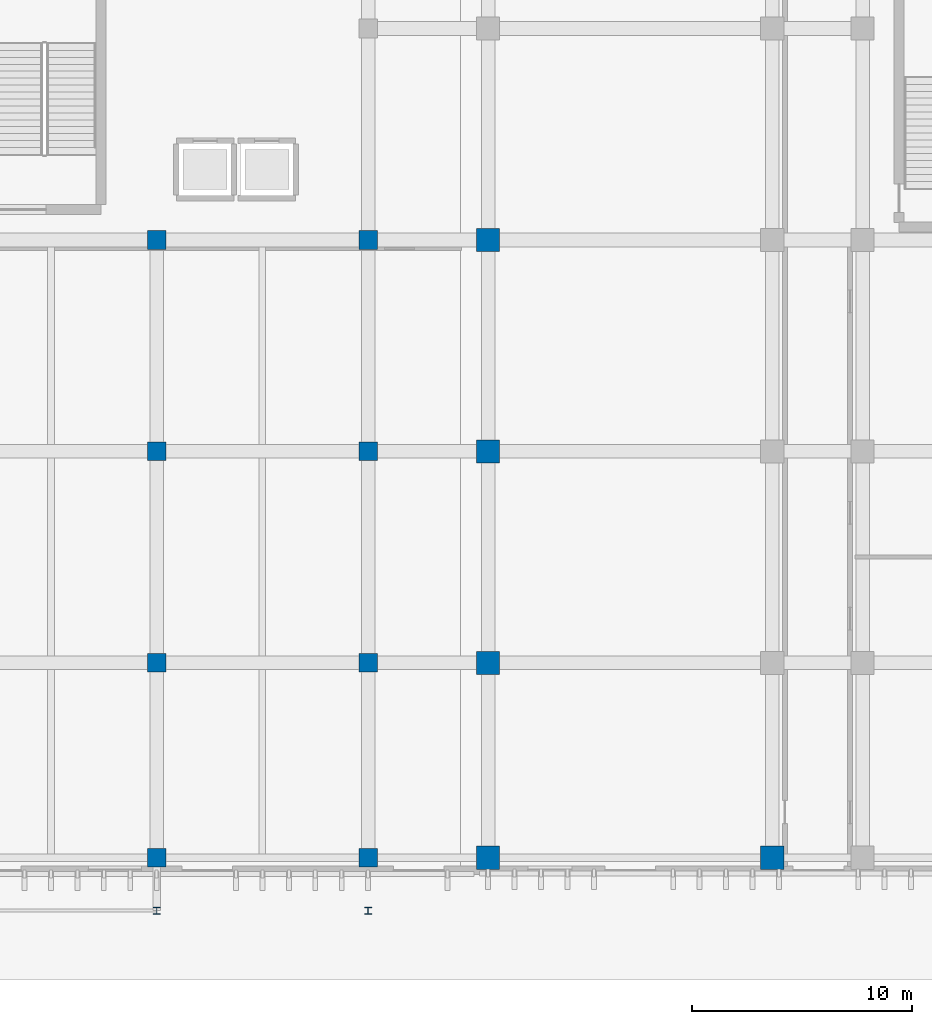
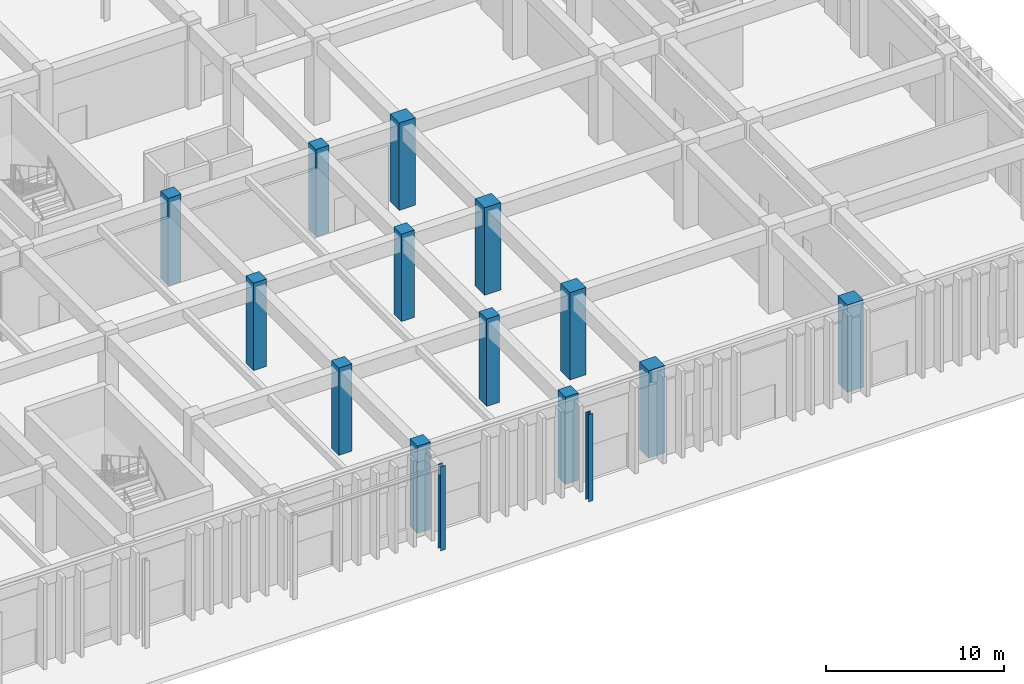
# One storey, part 7 of 87: 15 columns.
"""IFC4 building model written with IfcOpenShell, lengths in metres."""

from ifc_helpers import new_model, si_unit, direction, frame, origin, origin_2d, place, context, subcontext, project, spatial, rectangle, i_section, extrude, material, material_profile, profile_set, type_object, element, save


model = new_model("IFC4")

# Units and contexts
model_context = context("Model", 3, precision=1e-05, world=origin(), true_north=direction((0.0, 1.0)))
body_context = subcontext(model_context, "Body", "Model", "MODEL_VIEW")
ifc_project = project(units=[si_unit("LENGTHUNIT", "METRE"), si_unit("AREAUNIT", "SQUARE_METRE"), si_unit("VOLUMEUNIT", "CUBIC_METRE"), si_unit("PLANEANGLEUNIT", "RADIAN"), si_unit("MASSUNIT", "GRAM", prefix="KILO")], contexts=[model_context])

# Site, building, storey
site_placement = place(None, origin())
site = spatial("IfcSite", under=ifc_project, at=site_placement, CompositionType="ELEMENT")
building_placement = place(site_placement, origin())
building = spatial("IfcBuilding", under=site, at=building_placement, Name="Nakhvara Creek Congress Hotel", CompositionType="ELEMENT")
storey_placement = place(building_placement, origin())
storey = spatial("IfcBuildingStorey", under=building, at=storey_placement, Name="L00", CompositionType="ELEMENT", Elevation=0.0)

# Columns
ifc_material_1 = material(Name="Concrete C50/60", Category="concrete")
ifc_material_profile_1 = material_profile(ifc_material_1, rectangle(XDim=1.050048828125, YDim=1.050048828125, at=origin_2d()), Name="RC-COL 1050x1050", Category="LoadBearing")
ifc_profile_set_1 = profile_set([ifc_material_profile_1], Name="Concrete C50/60")
column_type_1 = type_object("IfcColumnType", Name="COL-RC-1050", PredefinedType="COLUMN", material=ifc_profile_set_1)
for number, where, z_axis, x_axis, name in (
    (1, (149.449951171875, 0.75, 0.0), (0.0, 0.0, 1.0), (1.0, 0.0, 0.0), "Column C16-L00-0756"),
    (2, (149.449951171875, 9.60009765625, 0.0), (0.0, 0.0, 1.0), (1.0, 0.0, 0.0), "Column C16-L00-0757"),
    (3, (149.449951171875, 19.199951171875, 0.0), (0.0, 0.0, 1.0), (1.0, 0.0, 0.0), "Column C16-L00-0758"),
    (4, (149.449951171875, 28.800048828125, 0.0), (0.0, 0.0, 1.0), (1.0, 0.0, 0.0), "Column C16-L00-0759"),
    (5, (162.35009765625, 0.75, 0.0), (0.0, 0.0, 1.0), (1.0, 0.0, 0.0), "Column C16-L00-0770"),
):
    element("IfcColumn", number, at=place(storey_placement, frame(where, z_axis=z_axis, x_axis=x_axis)), inside=storey, type_object=column_type_1, Name=name, PredefinedType="COLUMN", context=body_context, shape_type="SweptSolid", body=[
        extrude(rectangle(XDim=1.050048828125, YDim=1.050048828125, at=origin_2d()), origin(), (0.0, 0.0, 1.0), 6.0),
    ])
ifc_material_profile_2 = material_profile(ifc_material_1, rectangle(XDim=0.85009765625, YDim=0.85009765625, at=origin_2d()), Name="RC-COL 850x850", Category="LoadBearing")
ifc_profile_set_2 = profile_set([ifc_material_profile_2], Name="Concrete C50/60")
column_type_2 = type_object("IfcColumnType", Name="COL-RC-850", PredefinedType="COLUMN", material=ifc_profile_set_2)
for number, where, z_axis, x_axis, name in (
    (6, (134.39990234375, 0.75, 0.0), (0.0, 0.0, 1.0), (1.0, 0.0, 0.0), "Column C18-L00-0718"),
    (7, (134.39990234375, 9.60009765625, 0.0), (0.0, 0.0, 1.0), (1.0, 0.0, 0.0), "Column C18-L00-0719"),
    (8, (134.39990234375, 19.199951171875, 0.0), (0.0, 0.0, 1.0), (1.0, 0.0, 0.0), "Column C18-L00-0720"),
    (9, (134.39990234375, 28.800048828125, 0.0), (0.0, 0.0, 1.0), (1.0, 0.0, 0.0), "Column C18-L00-0721"),
    (10, (144.0, 0.75, 0.0), (0.0, 0.0, 1.0), (1.0, 0.0, 0.0), "Column C18-L00-0728"),
    (11, (144.0, 9.60009765625, 0.0), (0.0, 0.0, 1.0), (1.0, 0.0, 0.0), "Column C18-L00-0729"),
    (12, (144.0, 19.199951171875, 0.0), (0.0, 0.0, 1.0), (1.0, 0.0, 0.0), "Column C18-L00-0730"),
    (13, (144.0, 28.800048828125, 0.0), (0.0, 0.0, 1.0), (1.0, 0.0, 0.0), "Column C18-L00-0731"),
):
    element("IfcColumn", number, at=place(storey_placement, frame(where, z_axis=z_axis, x_axis=x_axis)), inside=storey, type_object=column_type_2, Name=name, PredefinedType="COLUMN", context=body_context, shape_type="SweptSolid", body=[
        extrude(rectangle(XDim=0.85009765625, YDim=0.85009765625, at=origin_2d()), origin(), (0.0, 0.0, 1.0), 6.0),
    ])
ifc_material_2 = material(Name="Steel S355J2", Category="steel")
ifc_material_profile_3 = material_profile(ifc_material_2, i_section(OverallWidth=0.307373046875, OverallDepth=0.314453125, WebThickness=0.011962890625, FlangeThickness=0.018798828125, FilletRadius=0.01513671875, at=origin_2d()), Name="UC 305x305x118", Category="LoadBearing")
ifc_profile_set_3 = profile_set([ifc_material_profile_3], Name="Steel S355J2")
column_type_3 = type_object("IfcColumnType", Name="COL-ST-UC305", PredefinedType="COLUMN", material=ifc_profile_set_3)
column_1_placement = place(storey_placement, frame((134.39990234375, -1.64990234375, 0.0), z_axis=(0.0, 0.0, 1.0), x_axis=(1.0, 0.0, 0.0)))
element("IfcColumn", 14, at=column_1_placement, inside=storey, type_object=column_type_3, Name="Column CS2-L00-0751", PredefinedType="COLUMN", context=body_context, shape_type="SweptSolid", body=[
    extrude(i_section(OverallWidth=0.307373046875, OverallDepth=0.314453125, WebThickness=0.011962890625, FlangeThickness=0.018798828125, FilletRadius=0.01513671875, at=origin_2d()), origin(), (0.0, 0.0, 1.0), 5.780029296875),
])
column_2_placement = place(storey_placement, frame((144.0, -1.64990234375, 0.0), z_axis=(0.0, 0.0, 1.0), x_axis=(1.0, 0.0, 0.0)))
element("IfcColumn", 15, at=column_2_placement, inside=storey, type_object=column_type_3, Name="Column CS2-L00-0755", PredefinedType="COLUMN", context=body_context, shape_type="SweptSolid", body=[
    extrude(i_section(OverallWidth=0.307373046875, OverallDepth=0.314453125, WebThickness=0.011962890625, FlangeThickness=0.018798828125, FilletRadius=0.01513671875, at=origin_2d()), origin(), (0.0, 0.0, 1.0), 6.0),
])

save(model, "model.ifc")
